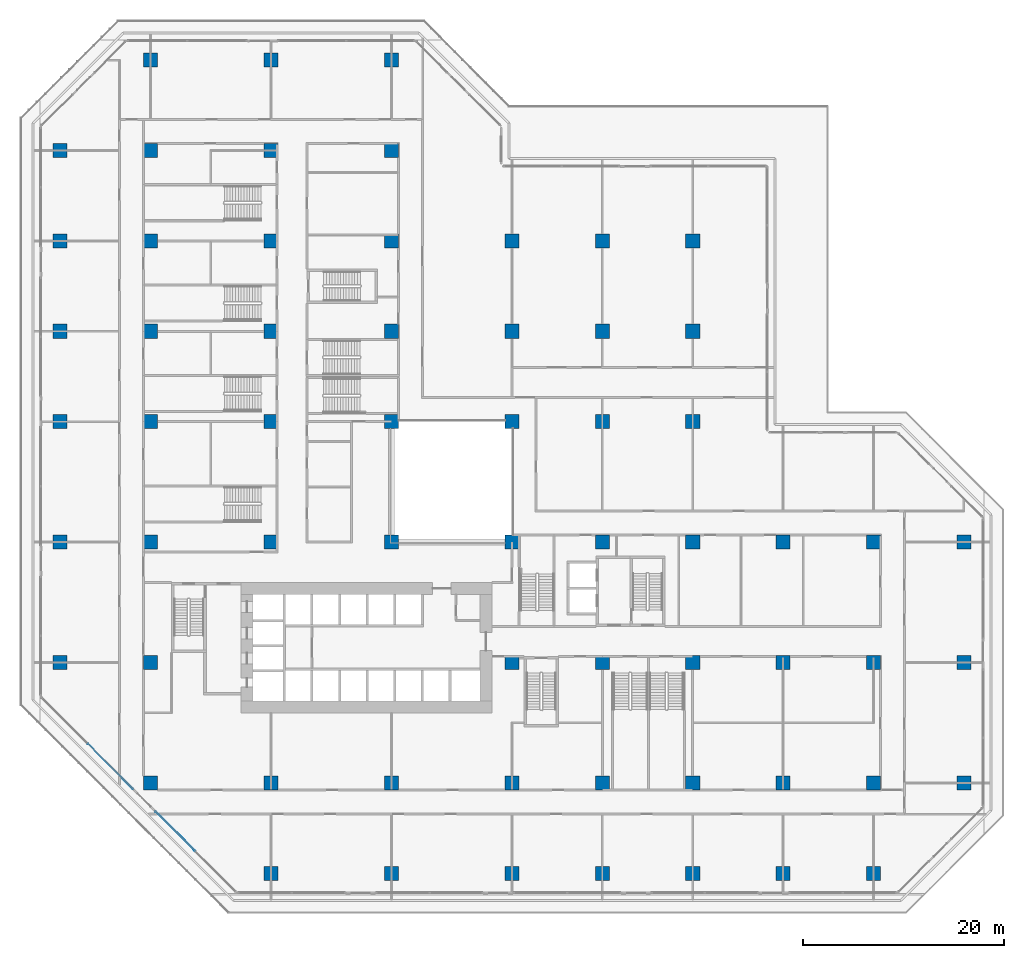
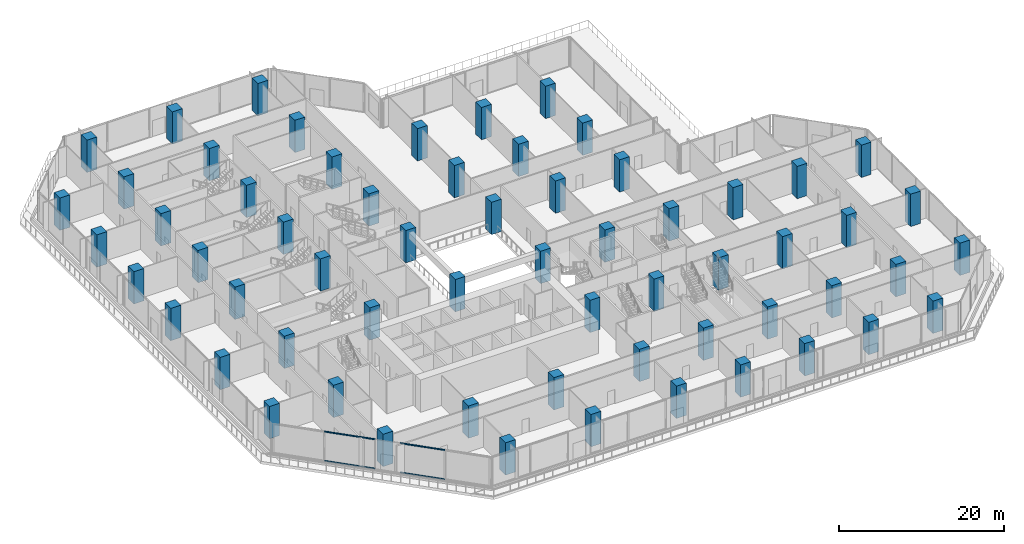
# One storey, part 1 of 31: 62 columns, 4 members, 2 elements without a shape of their own.
"""IFC4 building model written with IfcOpenShell, lengths in metres."""

from ifc_helpers import new_model, si_unit, direction, frame, origin, origin_2d, place, context, subcontext, project, spatial, rectangle, extrude, material, layer, layer_set, material_profile, profile_set, type_object, element, aggregate, save


model = new_model("IFC4")

# Units and contexts
model_context = context("Model", 3, precision=1e-05, world=origin(), true_north=direction((0.0, 1.0)))
body_context = subcontext(model_context, "Body", "Model", "MODEL_VIEW")
ifc_project = project(units=[si_unit("LENGTHUNIT", "METRE"), si_unit("AREAUNIT", "SQUARE_METRE"), si_unit("VOLUMEUNIT", "CUBIC_METRE"), si_unit("PLANEANGLEUNIT", "RADIAN"), si_unit("MASSUNIT", "GRAM", prefix="KILO")], contexts=[model_context])

# Site, building, storey
site_placement = place(None, origin())
site = spatial("IfcSite", under=ifc_project, at=site_placement, CompositionType="ELEMENT")
building_placement = place(site_placement, origin())
building = spatial("IfcBuilding", under=site, at=building_placement, Name="Chenar Terraces", CompositionType="ELEMENT")
storey_placement = place(building_placement, frame((0.0, 0.0, 12.0)))
storey = spatial("IfcBuildingStorey", under=building, at=storey_placement, Name="L02", CompositionType="ELEMENT", Elevation=12.0)

# Columns
ifc_material_1 = material(Name="Concrete C60/75", Category="concrete")
ifc_material_profile_1 = material_profile(ifc_material_1, rectangle(XDim=1.39990234375, YDim=1.39990234375, at=origin_2d()), Name="C 1400 x 1400")
ifc_profile_set_1 = profile_set([ifc_material_profile_1], Name="Concrete C60/75")
column_type = type_object("IfcColumnType", Name="Column C 1400 x 1400 Concrete C60/75", PredefinedType="COLUMN", material=ifc_profile_set_1)
for number, where, z_axis, x_axis, name in (
    (1, (12.0, -9.0, 0.0), (0.0, 0.0, 1.0), (1.0, 0.0, 0.0), "Column 6/D L02"),
    (2, (24.0, -9.0, 0.0), (0.0, 0.0, 1.0), (1.0, 0.0, 0.0), "Column 7/D L02"),
    (3, (36.0, -9.0, 0.0), (0.0, 0.0, 1.0), (1.0, 0.0, 0.0), "Column 8/D L02"),
    (4, (45.0, -9.0, 0.0), (0.0, 0.0, 1.0), (1.0, 0.0, 0.0), "Column 9/D L02"),
    (5, (54.0, -9.0, 0.0), (0.0, 0.0, 1.0), (1.0, 0.0, 0.0), "Column 10/D L02"),
    (6, (63.0, -9.0, 0.0), (0.0, 0.0, 1.0), (1.0, 0.0, 0.0), "Column 11/D L02"),
    (7, (72.0, -9.0, 0.0), (0.0, 0.0, 1.0), (1.0, 0.0, 0.0), "Column 12/D L02"),
    (8, (0.0, 0.0, 0.0), (0.0, 0.0, 1.0), (1.0, 0.0, 0.0), "Column 5/E L02"),
    (9, (12.0, 0.0, 0.0), (0.0, 0.0, 1.0), (1.0, 0.0, 0.0), "Column 6/E L02"),
    (10, (24.0, 0.0, 0.0), (0.0, 0.0, 1.0), (1.0, 0.0, 0.0), "Column 7/E L02"),
    (11, (36.0, 0.0, 0.0), (0.0, 0.0, 1.0), (1.0, 0.0, 0.0), "Column 8/E L02"),
    (12, (45.0, 0.0, 0.0), (0.0, 0.0, 1.0), (1.0, 0.0, 0.0), "Column 9/E L02"),
    (13, (54.0, 0.0, 0.0), (0.0, 0.0, 1.0), (1.0, 0.0, 0.0), "Column 10/E L02"),
    (14, (63.0, 0.0, 0.0), (0.0, 0.0, 1.0), (1.0, 0.0, 0.0), "Column 11/E L02"),
    (15, (72.0, 0.0, 0.0), (0.0, 0.0, 1.0), (1.0, 0.0, 0.0), "Column 12/E L02"),
    (16, (81.0, 0.0, 0.0), (0.0, 0.0, 1.0), (1.0, 0.0, 0.0), "Column 13/E L02"),
    (17, (-9.0, 12.0, 0.0), (0.0, 0.0, 1.0), (1.0, 0.0, 0.0), "Column 4/F L02"),
    (18, (0.0, 12.0, 0.0), (0.0, 0.0, 1.0), (1.0, 0.0, 0.0), "Column 5/F L02"),
    (19, (36.0, 12.0, 0.0), (0.0, 0.0, 1.0), (1.0, 0.0, 0.0), "Column 8/F L02"),
    (20, (45.0, 12.0, 0.0), (0.0, 0.0, 1.0), (1.0, 0.0, 0.0), "Column 9/F L02"),
    (21, (54.0, 12.0, 0.0), (0.0, 0.0, 1.0), (1.0, 0.0, 0.0), "Column 10/F L02"),
    (22, (63.0, 12.0, 0.0), (0.0, 0.0, 1.0), (1.0, 0.0, 0.0), "Column 11/F L02"),
    (23, (72.0, 12.0, 0.0), (0.0, 0.0, 1.0), (1.0, 0.0, 0.0), "Column 12/F L02"),
    (24, (81.0, 12.0, 0.0), (0.0, 0.0, 1.0), (1.0, 0.0, 0.0), "Column 13/F L02"),
    (25, (-9.0, 24.0, 0.0), (0.0, 0.0, 1.0), (1.0, 0.0, 0.0), "Column 4/G L02"),
    (26, (0.0, 24.0, 0.0), (0.0, 0.0, 1.0), (1.0, 0.0, 0.0), "Column 5/G L02"),
    (27, (12.0, 24.0, 0.0), (0.0, 0.0, 1.0), (1.0, 0.0, 0.0), "Column 6/G L02"),
    (28, (24.0, 24.0, 0.0), (0.0, 0.0, 1.0), (1.0, 0.0, 0.0), "Column 7/G L02"),
    (29, (36.0, 24.0, 0.0), (0.0, 0.0, 1.0), (1.0, 0.0, 0.0), "Column 8/G L02"),
    (30, (45.0, 24.0, 0.0), (0.0, 0.0, 1.0), (1.0, 0.0, 0.0), "Column 9/G L02"),
    (31, (54.0, 24.0, 0.0), (0.0, 0.0, 1.0), (1.0, 0.0, 0.0), "Column 10/G L02"),
    (32, (63.0, 24.0, 0.0), (0.0, 0.0, 1.0), (1.0, 0.0, 0.0), "Column 11/G L02"),
    (33, (72.0, 24.0, 0.0), (0.0, 0.0, 1.0), (1.0, 0.0, 0.0), "Column 12/G L02"),
    (34, (81.0, 24.0, 0.0), (0.0, 0.0, 1.0), (1.0, 0.0, 0.0), "Column 13/G L02"),
    (35, (-9.0, 36.0, 0.0), (0.0, 0.0, 1.0), (1.0, 0.0, 0.0), "Column 4/H L02"),
    (36, (0.0, 36.0, 0.0), (0.0, 0.0, 1.0), (1.0, 0.0, 0.0), "Column 5/H L02"),
    (37, (12.0, 36.0, 0.0), (0.0, 0.0, 1.0), (1.0, 0.0, 0.0), "Column 6/H L02"),
    (38, (24.0, 36.0, 0.0), (0.0, 0.0, 1.0), (1.0, 0.0, 0.0), "Column 7/H L02"),
    (39, (36.0, 36.0, 0.0), (0.0, 0.0, 1.0), (1.0, 0.0, 0.0), "Column 8/H L02"),
    (40, (45.0, 36.0, 0.0), (0.0, 0.0, 1.0), (1.0, 0.0, 0.0), "Column 9/H L02"),
    (41, (54.0, 36.0, 0.0), (0.0, 0.0, 1.0), (1.0, 0.0, 0.0), "Column 10/H L02"),
    (42, (-9.0, 45.0, 0.0), (0.0, 0.0, 1.0), (1.0, 0.0, 0.0), "Column 4/J L02"),
    (43, (0.0, 45.0, 0.0), (0.0, 0.0, 1.0), (1.0, 0.0, 0.0), "Column 5/J L02"),
    (44, (12.0, 45.0, 0.0), (0.0, 0.0, 1.0), (1.0, 0.0, 0.0), "Column 6/J L02"),
    (45, (24.0, 45.0, 0.0), (0.0, 0.0, 1.0), (1.0, 0.0, 0.0), "Column 7/J L02"),
    (46, (36.0, 45.0, 0.0), (0.0, 0.0, 1.0), (1.0, 0.0, 0.0), "Column 8/J L02"),
    (47, (45.0, 45.0, 0.0), (0.0, 0.0, 1.0), (1.0, 0.0, 0.0), "Column 9/J L02"),
    (48, (54.0, 45.0, 0.0), (0.0, 0.0, 1.0), (1.0, 0.0, 0.0), "Column 10/J L02"),
    (49, (-9.0, 54.0, 0.0), (0.0, 0.0, 1.0), (1.0, 0.0, 0.0), "Column 4/K L02"),
    (50, (0.0, 54.0, 0.0), (0.0, 0.0, 1.0), (1.0, 0.0, 0.0), "Column 5/K L02"),
    (51, (12.0, 54.0, 0.0), (0.0, 0.0, 1.0), (1.0, 0.0, 0.0), "Column 6/K L02"),
    (52, (24.0, 54.0, 0.0), (0.0, 0.0, 1.0), (1.0, 0.0, 0.0), "Column 7/K L02"),
    (53, (36.0, 54.0, 0.0), (0.0, 0.0, 1.0), (1.0, 0.0, 0.0), "Column 8/K L02"),
    (54, (45.0, 54.0, 0.0), (0.0, 0.0, 1.0), (1.0, 0.0, 0.0), "Column 9/K L02"),
    (55, (54.0, 54.0, 0.0), (0.0, 0.0, 1.0), (1.0, 0.0, 0.0), "Column 10/K L02"),
    (56, (-9.0, 63.0, 0.0), (0.0, 0.0, 1.0), (1.0, 0.0, 0.0), "Column 4/L L02"),
    (57, (0.0, 63.0, 0.0), (0.0, 0.0, 1.0), (1.0, 0.0, 0.0), "Column 5/L L02"),
    (58, (12.0, 63.0, 0.0), (0.0, 0.0, 1.0), (1.0, 0.0, 0.0), "Column 6/L L02"),
    (59, (24.0, 63.0, 0.0), (0.0, 0.0, 1.0), (1.0, 0.0, 0.0), "Column 7/L L02"),
    (60, (0.0, 72.0, 0.0), (0.0, 0.0, 1.0), (1.0, 0.0, 0.0), "Column 5/M L02"),
    (61, (12.0, 72.0, 0.0), (0.0, 0.0, 1.0), (1.0, 0.0, 0.0), "Column 6/M L02"),
    (62, (24.0, 72.0, 0.0), (0.0, 0.0, 1.0), (1.0, 0.0, 0.0), "Column 7/M L02"),
):
    element("IfcColumn", number, at=place(storey_placement, frame(where, z_axis=z_axis, x_axis=x_axis)), inside=storey, type_object=column_type, Name=name, PredefinedType="COLUMN", context=body_context, shape_type="SweptSolid", body=[
        extrude(rectangle(XDim=1.39990234375, YDim=1.39990234375, at=origin_2d()), origin(), (0.0, 0.0, 1.0), 4.800048828125),
    ])

# Curtain wall, members
ifc_material_2 = material(Name="Aluminium framed glazing", Category="aluminium")
ifc_layer = layer(ifc_material_2, 0.14990234375)
ifc_layer_set = layer_set([ifc_layer], Name="Aluminium framed glazing")
curtain_wall_type = type_object("IfcCurtainWallType", Name="School curtain wall", PredefinedType="NOTDEFINED", material=ifc_layer_set)
placement = place(storey_placement, origin())
curtain_wall_1 = element("IfcCurtainWall", 63, at=placement, inside=storey, type_object=curtain_wall_type, Name="School curtain wall", PredefinedType="NOTDEFINED")
ifc_material_3 = material(Name="Aluminium", Category="aluminium")
ifc_material_profile_2 = material_profile(ifc_material_3, rectangle(XDim=0.070068359375, YDim=0.14990234375, at=origin_2d()), Name="School glazing transom 70 x 150")
ifc_profile_set_2 = profile_set([ifc_material_profile_2], Name="Aluminium")
member_type = type_object("IfcMemberType", Name="School glazing transom 70 x 150", PredefinedType="USERDEFINED", material=ifc_profile_set_2)
member_1_placement = place(storey_placement, frame((-6.24755859375, 3.918701171875, 0.034912109375), z_axis=(0.707106781187, -0.707106781187, 0.0), x_axis=(0.707106781187, 0.707106781187, 0.0)))
member_1 = element("IfcMember", 64, at=member_1_placement, type_object=member_type, Name="CW2-06c0 transom 2.1", ObjectType="TRANSOM", PredefinedType="USERDEFINED", context=body_context, shape_type="SweptSolid", body=[
    extrude(rectangle(XDim=0.070068359375, YDim=0.14990234375, at=origin_2d()), origin(), (0.0, 0.0, 1.0), 6.35595703125),
])
member_2_placement = place(storey_placement, frame((-6.24755859375, 3.918701171875, 4.364990234375), z_axis=(0.707106781187, -0.707106781187, 0.0), x_axis=(0.707106781187, 0.707106781187, 0.0)))
member_2 = element("IfcMember", 65, at=member_2_placement, type_object=member_type, Name="CW2-06c0 transom 2.2", ObjectType="TRANSOM", PredefinedType="USERDEFINED", context=body_context, shape_type="SweptSolid", body=[
    extrude(rectangle(XDim=0.070068359375, YDim=0.14990234375, at=origin_2d()), origin(), (0.0, 0.0, 1.0), 6.35595703125),
])
aggregate(curtain_wall_1, [member_1, member_2])

curtain_wall_2 = element("IfcCurtainWall", 66, at=placement, inside=storey, type_object=curtain_wall_type, Name="School curtain wall", PredefinedType="NOTDEFINED")
member_3_placement = place(storey_placement, frame((0.48486328125, -2.813720703125, 0.034912109375), z_axis=(0.707106781187, -0.707106781187, 0.0), x_axis=(0.707106781187, 0.707106781187, 0.0)))
member_3 = element("IfcMember", 67, at=member_3_placement, type_object=member_type, Name="CW2-06c1 transom 1.1", ObjectType="TRANSOM", PredefinedType="USERDEFINED", context=body_context, shape_type="SweptSolid", body=[
    extrude(rectangle(XDim=0.070068359375, YDim=0.14990234375, at=origin_2d()), origin(), (0.0, 0.0, 1.0), 5.606201171875),
])
member_4_placement = place(storey_placement, frame((0.48486328125, -2.813720703125, 4.364990234375), z_axis=(0.707106781187, -0.707106781187, 0.0), x_axis=(0.707106781187, 0.707106781187, 0.0)))
member_4 = element("IfcMember", 68, at=member_4_placement, type_object=member_type, Name="CW2-06c1 transom 1.2", ObjectType="TRANSOM", PredefinedType="USERDEFINED", context=body_context, shape_type="SweptSolid", body=[
    extrude(rectangle(XDim=0.070068359375, YDim=0.14990234375, at=origin_2d()), origin(), (0.0, 0.0, 1.0), 5.606201171875),
])
aggregate(curtain_wall_2, [member_3, member_4])

save(model, "model.ifc")
